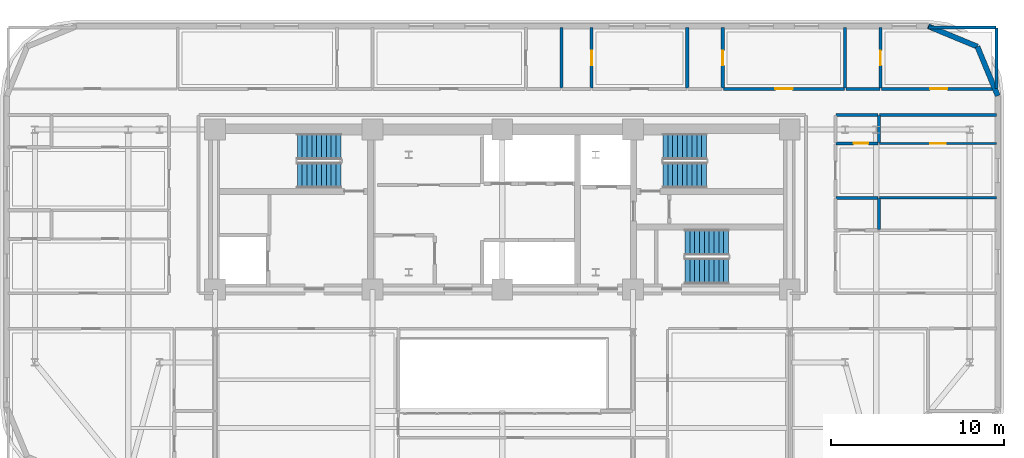
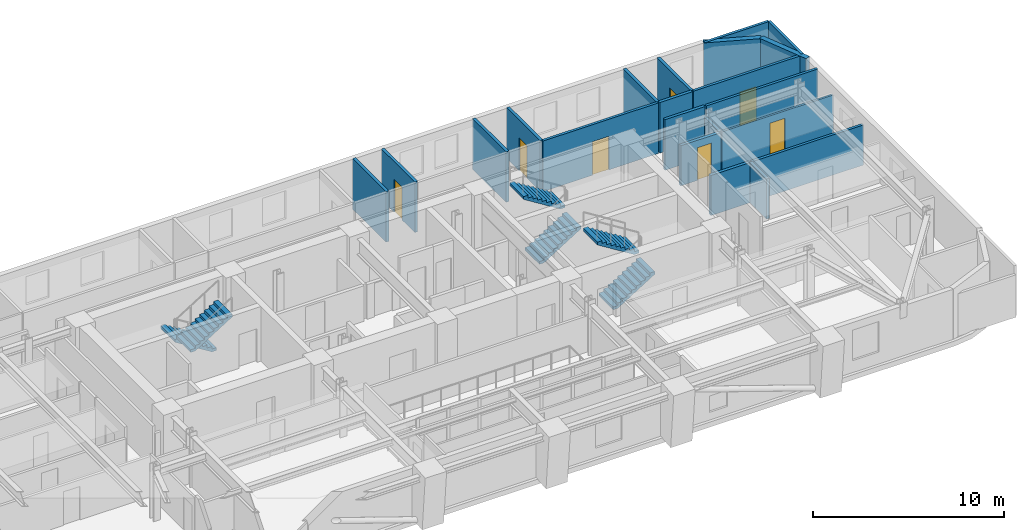
# One storey, part 11 of 14: 21 walls, 7 doors, 6 stair flights, 7 openings, 3 elements without a shape of their own.
"""IFC4 building model written with IfcOpenShell, lengths in metres."""

from ifc_helpers import new_model, si_unit, direction, frame, frame_2d, origin, place, context, subcontext, project, spatial, polyline, rectangle, outline, extrude, material, layer, layer_set, type_object, element, fill, aggregate, save


model = new_model("IFC4")

# Units and contexts
model_context = context("Model", 3, precision=1e-05, world=origin(), true_north=direction((0.0, 1.0)))
body_context = subcontext(model_context, "Body", "Model", "MODEL_VIEW")
ifc_project = project(units=[si_unit("LENGTHUNIT", "METRE"), si_unit("AREAUNIT", "SQUARE_METRE"), si_unit("VOLUMEUNIT", "CUBIC_METRE"), si_unit("PLANEANGLEUNIT", "RADIAN"), si_unit("MASSUNIT", "GRAM", prefix="KILO")], contexts=[model_context])

# Site, building, storey
site_placement = place(None, origin())
site = spatial("IfcSite", under=ifc_project, at=site_placement, CompositionType="ELEMENT")
building_placement = place(site_placement, origin())
building = spatial("IfcBuilding", under=site, at=building_placement, Name="Zarnavel Station Tower", CompositionType="ELEMENT")
storey_placement = place(building_placement, frame((0.0, 0.0, 108.300048828125)))
storey = spatial("IfcBuildingStorey", under=building, at=storey_placement, Name="L29", CompositionType="ELEMENT", Elevation=108.300048828125)

# Walls
ifc_material_1 = material(Name="Precast concrete C45/55 (Dark Basalt Finish)", Category="masonry")
ifc_layer_1 = layer(ifc_material_1, 0.300048828125)
ifc_layer_set_1 = layer_set([ifc_layer_1], Name="EW_BASALT_300")
wall_type_1 = type_object("IfcWallType", Name="EW_BASALT_300", PredefinedType="SOLIDWALL", material=ifc_layer_set_1)
wall_1_placement = place(storey_placement, frame((56.24267578125, 41.842529296875, 0.0), z_axis=(0.0, 0.0, 1.0), x_axis=(0.382636798336, -0.92389884758, 0.0)))
element("IfcWall", 1, at=wall_1_placement, inside=storey, type_object=wall_type_1, Name="L29 Exterior Basalt Masonry Frame Wall 04", PredefinedType="SOLIDWALL", context=body_context, shape_type="SweptSolid", body=[
    extrude(rectangle(XDim=3.07666015625, YDim=0.300048828125, at=frame_2d((1.538330078125, 0.0))), origin(), (0.0, 0.0, 1.0), 3.239990234375),
])
wall_2_placement = place(storey_placement, frame((53.39990234375, 43.02001953125, 0.0), z_axis=(0.0, 0.0, 1.0), x_axis=(0.923882414032, -0.382676475685, 0.0)))
element("IfcWall", 2, at=wall_2_placement, inside=storey, type_object=wall_type_1, Name="L29 Exterior Basalt Masonry Frame Wall 05", PredefinedType="SOLIDWALL", context=body_context, shape_type="SweptSolid", body=[
    extrude(rectangle(XDim=3.076904296875, YDim=0.300048828125, at=frame_2d((1.53857421875, 0.0))), origin(), (0.0, 0.0, 1.0), 3.239990234375),
])
ifc_material_2 = material(Name="Gypsum Twin-Stud Acoustic Fire Partition", Category="concrete")
ifc_layer_2 = layer(ifc_material_2, 0.159912109375)
ifc_layer_set_2 = layer_set([ifc_layer_2], Name="PT_DEMISE_160")
wall_type_2 = type_object("IfcWallType", Name="PT_DEMISE_160", PredefinedType="PARTITIONING", material=ifc_layer_set_2)
wall_3_placement = place(storey_placement, frame((50.590087890625, 37.89990234375, 0.0), z_axis=(0.0, 0.0, 1.0), x_axis=(1.0, 0.0, 0.0)))
element("IfcWall", 3, at=wall_3_placement, inside=storey, type_object=wall_type_2, Name="L29 Partition COR-N-FNE2S", PredefinedType="PARTITIONING", context=body_context, shape_type="SweptSolid", body=[
    extrude(rectangle(XDim=6.75, YDim=0.159912109375, at=frame_2d((3.375, 0.0))), origin(), (0.0, 0.0, 1.0), 3.239990234375),
])

# Wall, opening, door
wall_4_placement = place(storey_placement, frame((41.574951171875, 39.39990234375, 0.0), z_axis=(0.0, 0.0, 1.0), x_axis=(1.0, 0.0, 0.0)))
wall_4 = element("IfcWall", 4, at=wall_4_placement, inside=storey, type_object=wall_type_2, Name="L29 Partition COR-N-HN4R", PredefinedType="PARTITIONING", context=body_context, shape_type="SweptSolid", body=[
    extrude(rectangle(XDim=6.985107421875, YDim=0.159912109375, at=frame_2d((3.49267578125, 0.0))), origin(), (0.0, 0.0, 1.0), 3.239990234375),
])
opening_1_placement = place(wall_4_placement, frame((2.992431640625, 0.0, 0.0)))
opening_1 = element("IfcOpeningElement", 5, at=opening_1_placement, cuts=wall_4, Name="Opening FD02", PredefinedType="OPENING", context=body_context, shape_type="SweptSolid", body=[
    extrude(rectangle(XDim=1.0, YDim=2.14990234375, at=frame_2d((0.5, 1.074951171875))), frame((0.0, 0.08984375, 0.0), z_axis=(0.0, -1.0, 0.0), x_axis=(1.0, 0.0, 0.0)), (0.0, 0.0, 1.0), 0.179931640625),
])
ifc_material_3 = material(Name="Painted Galvanised Steel and Hardwood Leaf", Category="steel")
door_type_1 = type_object("IfcDoorType", Name="ID_ENTRY_1000", OperationType="NOTDEFINED", PredefinedType="DOOR", material=ifc_material_3)
door_1_placement = place(opening_1_placement, origin())
door_1 = element("IfcDoor", 6, at=door_1_placement, inside=storey, type_object=door_type_1, Name="L29 Door COR-N-HN4R", OperationType="SINGLE_SWING_RIGHT", OverallHeight=2.14990234375, OverallWidth=1.0, PredefinedType="DOOR", context=body_context, shape_type="SweptSolid", body=[
    extrude(rectangle(XDim=1.0, YDim=2.14990234375, at=frame_2d((0.5, 1.074951171875))), frame((0.0, 0.02490234375, 0.0), z_axis=(0.0, -1.0, 0.0), x_axis=(1.0, 0.0, 0.0)), (0.0, 0.0, 1.0), 0.050048828125),
])
fill(opening_1, door_1)

wall_5_placement = place(storey_placement, frame((50.68994140625, 39.39990234375, 0.0), z_axis=(0.0, 0.0, 1.0), x_axis=(1.0, 0.0, 0.0)))
wall_5 = element("IfcWall", 7, at=wall_5_placement, inside=storey, type_object=wall_type_2, Name="L29 Partition COR-N-HN5R", PredefinedType="PARTITIONING", context=body_context, shape_type="SweptSolid", body=[
    extrude(rectangle(XDim=6.650146484375, YDim=0.159912109375, at=frame_2d((3.3251953125, 0.0))), origin(), (0.0, 0.0, 1.0), 3.239990234375),
])
opening_2_placement = place(wall_5_placement, frame((2.824951171875, 0.0, 0.0)))
opening_2 = element("IfcOpeningElement", 8, at=opening_2_placement, cuts=wall_5, Name="Opening FD02", PredefinedType="OPENING", context=body_context, shape_type="SweptSolid", body=[
    extrude(rectangle(XDim=1.0, YDim=2.14990234375, at=frame_2d((0.5, 1.074951171875))), frame((0.0, 0.08984375, 0.0), z_axis=(0.0, -1.0, 0.0), x_axis=(1.0, 0.0, 0.0)), (0.0, 0.0, 1.0), 0.179931640625),
])
door_2_placement = place(opening_2_placement, origin())
door_2 = element("IfcDoor", 9, at=door_2_placement, inside=storey, type_object=door_type_1, Name="L29 Door COR-N-HN5R", OperationType="SINGLE_SWING_LEFT", OverallHeight=2.14990234375, OverallWidth=1.0, PredefinedType="DOOR", context=body_context, shape_type="SweptSolid", body=[
    extrude(rectangle(XDim=1.0, YDim=2.14990234375, at=frame_2d((0.5, 1.074951171875))), frame((0.0, 0.02490234375, 0.0), z_axis=(0.0, -1.0, 0.0), x_axis=(1.0, 0.0, 0.0)), (0.0, 0.0, 1.0), 0.050048828125),
])
fill(opening_2, door_2)

# Walls
wall_6_placement = place(storey_placement, frame((50.590087890625, 33.10888671875, 0.0), z_axis=(0.0, 0.0, 1.0), x_axis=(1.0, 0.0, 0.0)))
element("IfcWall", 10, at=wall_6_placement, inside=storey, type_object=wall_type_2, Name="L29 Partition FNE1S-FNE2R", PredefinedType="PARTITIONING", context=body_context, shape_type="SweptSolid", body=[
    extrude(rectangle(XDim=6.75, YDim=0.159912109375, at=frame_2d((3.375, 0.0))), origin(), (0.0, 0.0, 1.0), 2.570068359375),
])
wall_7_placement = place(storey_placement, frame((53.429931640625, 42.93994140625, 0.0), z_axis=(0.0, 0.0, 1.0), x_axis=(1.0, 0.0, 0.0)))
element("IfcWall", 11, at=wall_7_placement, inside=storey, type_object=wall_type_2, Name="L29 Enclosure Wall HN5R", PredefinedType="PARTITIONING", context=body_context, shape_type="SweptSolid", body=[
    extrude(rectangle(XDim=3.880126953125, YDim=0.159912109375, at=frame_2d((1.93994140625, 0.0))), origin(), (0.0, 0.0, 1.0), 3.239990234375),
])
wall_8_placement = place(storey_placement, frame((57.340087890625, 39.429931640625, 0.0), z_axis=(0.0, 0.0, 1.0), x_axis=(0.0, 1.0, 0.0)))
element("IfcWall", 12, at=wall_8_placement, inside=storey, type_object=wall_type_2, Name="L29 Enclosure Wall HN5R", PredefinedType="PARTITIONING", context=body_context, shape_type="SweptSolid", body=[
    extrude(rectangle(XDim=3.47998046875, YDim=0.159912109375, at=frame_2d((1.739990234375, 0.0))), origin(), (0.0, 0.0, 1.0), 3.239990234375),
])

# Wall, opening, door
ifc_material_4 = material(Name="Gypsum Metal-Stud Interior Partition", Category="concrete")
ifc_layer_3 = layer(ifc_material_4, 0.1201171875)
ifc_layer_set_3 = layer_set([ifc_layer_3], Name="PT_ROOM_120")
wall_type_3 = type_object("IfcWallType", Name="PT_ROOM_120", PredefinedType="PARTITIONING", material=ifc_layer_set_3)
wall_9_placement = place(storey_placement, frame((50.590087890625, 36.25, 0.0), z_axis=(0.0, 0.0, 1.0), x_axis=(1.0, 0.0, 0.0)))
wall_9 = element("IfcWall", 13, at=wall_9_placement, inside=storey, type_object=wall_type_3, Name="L29 Partition FNE2R-FNE2S", PredefinedType="PARTITIONING", context=body_context, shape_type="SweptSolid", body=[
    extrude(rectangle(XDim=6.75, YDim=0.1201171875, at=frame_2d((3.375, 0.0))), origin(), (0.0, 0.0, 1.0), 2.570068359375),
])
opening_3_placement = place(wall_9_placement, frame((2.925048828125, 0.0, 0.0)))
opening_3 = element("IfcOpeningElement", 14, at=opening_3_placement, cuts=wall_9, Name="Opening ID01", PredefinedType="OPENING", context=body_context, shape_type="SweptSolid", body=[
    extrude(rectangle(XDim=0.89990234375, YDim=2.10009765625, at=frame_2d((0.449951171875, 1.050048828125))), frame((0.0, 0.070068359375, 0.0), z_axis=(0.0, -1.0, 0.0), x_axis=(1.0, 0.0, 0.0)), (0.0, 0.0, 1.0), 0.14013671875),
])
ifc_material_5 = material(Name="Painted Galvanised Steel and Hardwood Leaf", Category="steel")
door_type_2 = type_object("IfcDoorType", Name="ID_ROOM_900", OperationType="NOTDEFINED", PredefinedType="DOOR", material=ifc_material_5)
door_3_placement = place(opening_3_placement, origin())
door_3 = element("IfcDoor", 15, at=door_3_placement, inside=storey, type_object=door_type_2, Name="L29 Door FNE2R-FNE2S", OperationType="SINGLE_SWING_RIGHT", OverallHeight=2.10009765625, OverallWidth=0.89990234375, PredefinedType="DOOR", context=body_context, shape_type="SweptSolid", body=[
    extrude(rectangle(XDim=0.89990234375, YDim=2.10009765625, at=frame_2d((0.449951171875, 1.050048828125))), frame((0.0, 0.02490234375, 0.0), z_axis=(0.0, -1.0, 0.0), x_axis=(1.0, 0.0, 0.0)), (0.0, 0.0, 1.0), 0.050048828125),
])
fill(opening_3, door_3)

# Walls
ifc_material_6 = material(Name="Moisture-Resistant Plumbing Chase Wall", Category="concrete")
ifc_layer_4 = layer(ifc_material_6, 0.179931640625)
ifc_layer_set_4 = layer_set([ifc_layer_4], Name="PW_PLUMB_180")
wall_type_4 = type_object("IfcWallType", Name="PW_PLUMB_180", PredefinedType="PLUMBINGWALL", material=ifc_layer_set_4)
wall_10_placement = place(storey_placement, frame((48.090087890625, 37.89990234375, 0.0), z_axis=(0.0, 0.0, 1.0), x_axis=(1.0, 0.0, 0.0)))
element("IfcWall", 16, at=wall_10_placement, inside=storey, type_object=wall_type_4, Name="L29 Partition COR-N-FNE2B", PredefinedType="PLUMBINGWALL", context=body_context, shape_type="SweptSolid", body=[
    extrude(rectangle(XDim=2.419921875, YDim=0.179931640625, at=frame_2d((1.2099609375, 0.0))), origin(), (0.0, 0.0, 1.0), 3.239990234375),
])
wall_11_placement = place(storey_placement, frame((48.639892578125, 39.39990234375, 0.0), z_axis=(0.0, 0.0, 1.0), x_axis=(1.0, 0.0, 0.0)))
element("IfcWall", 17, at=wall_11_placement, inside=storey, type_object=wall_type_4, Name="L29 Partition COR-N-HN5B", PredefinedType="PLUMBINGWALL", context=body_context, shape_type="SweptSolid", body=[
    extrude(rectangle(XDim=1.97021484375, YDim=0.179931640625, at=frame_2d((0.985107421875, 0.0))), origin(), (0.0, 0.0, 1.0), 3.239990234375),
])
wall_12_placement = place(storey_placement, frame((50.550048828125, 31.27587890625, 0.0), z_axis=(0.0, 0.0, 1.0), x_axis=(0.0, 1.0, 0.0)))
element("IfcWall", 18, at=wall_12_placement, inside=storey, type_object=wall_type_4, Name="L29 Partition FNE1B-FNE1S", PredefinedType="PLUMBINGWALL", context=body_context, shape_type="SweptSolid", body=[
    extrude(rectangle(XDim=1.793212890625, YDim=0.179931640625, at=frame_2d((0.896484375, 0.0))), origin(), (0.0, 0.0, 1.0), 2.570068359375),
])
wall_13_placement = place(storey_placement, frame((48.090087890625, 33.10888671875, 0.0), z_axis=(0.0, 0.0, 1.0), x_axis=(1.0, 0.0, 0.0)))
element("IfcWall", 19, at=wall_13_placement, inside=storey, type_object=wall_type_4, Name="L29 Partition FNE1B-FNE2R", PredefinedType="PLUMBINGWALL", context=body_context, shape_type="SweptSolid", body=[
    extrude(rectangle(XDim=2.419921875, YDim=0.179931640625, at=frame_2d((1.2099609375, 0.0))), origin(), (0.0, 0.0, 1.0), 2.570068359375),
])

# Wall, opening, door
wall_14_placement = place(storey_placement, frame((50.510009765625, 36.25, 0.0), z_axis=(0.0, 0.0, 1.0), x_axis=(-1.0, 0.0, 0.0)))
wall_14 = element("IfcWall", 20, at=wall_14_placement, inside=storey, type_object=wall_type_4, Name="L29 Partition FNE2R-FNE2B", PredefinedType="PLUMBINGWALL", context=body_context, shape_type="SweptSolid", body=[
    extrude(rectangle(XDim=2.419921875, YDim=0.179931640625, at=frame_2d((1.2099609375, 0.0))), origin(), (0.0, 0.0, 1.0), 2.570068359375),
])
opening_4_placement = place(wall_14_placement, frame((0.570068359375, 0.0, 0.0)))
opening_4 = element("IfcOpeningElement", 21, at=opening_4_placement, cuts=wall_14, Name="Opening ID02", PredefinedType="OPENING", context=body_context, shape_type="SweptSolid", body=[
    extrude(rectangle(XDim=0.85009765625, YDim=2.10009765625, at=frame_2d((0.425048828125, 1.050048828125))), frame((0.0, 0.099853515625, 0.0), z_axis=(0.0, -1.0, 0.0), x_axis=(1.0, 0.0, 0.0)), (0.0, 0.0, 1.0), 0.199951171875),
])
ifc_material_7 = material(Name="Painted Galvanised Steel and Hardwood Leaf", Category="steel")
door_type_3 = type_object("IfcDoorType", Name="ID_BATH_850", OperationType="NOTDEFINED", PredefinedType="DOOR", material=ifc_material_7)
door_4_placement = place(opening_4_placement, origin())
door_4 = element("IfcDoor", 22, at=door_4_placement, inside=storey, type_object=door_type_3, Name="L29 Door FNE2R-FNE2B", OperationType="SINGLE_SWING_LEFT", OverallHeight=2.10009765625, OverallWidth=0.85009765625, PredefinedType="DOOR", context=body_context, shape_type="SweptSolid", body=[
    extrude(rectangle(XDim=0.85009765625, YDim=2.10009765625, at=frame_2d((0.425048828125, 1.050048828125))), frame((0.0, 0.02490234375, 0.0), z_axis=(0.0, -1.0, 0.0), x_axis=(1.0, 0.0, 0.0)), (0.0, 0.0, 1.0), 0.050048828125),
])
fill(opening_4, door_4)

# Walls
wall_15_placement = place(storey_placement, frame((50.550048828125, 36.2900390625, 0.0), z_axis=(0.0, 0.0, 1.0), x_axis=(0.0, 1.0, 0.0)))
element("IfcWall", 23, at=wall_15_placement, inside=storey, type_object=wall_type_4, Name="L29 Partition FNE2B-FNE2S", PredefinedType="PLUMBINGWALL", context=body_context, shape_type="SweptSolid", body=[
    extrude(rectangle(XDim=1.570068359375, YDim=0.179931640625, at=frame_2d((0.78515625, 0.0))), origin(), (0.0, 0.0, 1.0), 2.570068359375),
])
wall_16_placement = place(storey_placement, frame((32.2109375, 39.43994140625, 0.0), z_axis=(0.0, 0.0, 1.0), x_axis=(0.0, 1.0, 0.0)))
element("IfcWall", 24, at=wall_16_placement, inside=storey, type_object=wall_type_4, Name="L29 Partition HN2B-HN3B", PredefinedType="PLUMBINGWALL", context=body_context, shape_type="SweptSolid", body=[
    extrude(rectangle(XDim=3.5, YDim=0.179931640625, at=frame_2d((1.75, 0.0))), origin(), (0.0, 0.0, 1.0), 3.239990234375),
])

# Wall, opening, door
wall_17_placement = place(storey_placement, frame((33.95703125, 39.43994140625, 0.0), z_axis=(0.0, 0.0, 1.0), x_axis=(0.0, 1.0, 0.0)))
wall_17 = element("IfcWall", 25, at=wall_17_placement, inside=storey, type_object=wall_type_4, Name="L29 Partition HN3R-HN3B", PredefinedType="PLUMBINGWALL", context=body_context, shape_type="SweptSolid", body=[
    extrude(rectangle(XDim=3.5, YDim=0.179931640625, at=frame_2d((1.75, 0.0))), origin(), (0.0, 0.0, 1.0), 3.239990234375),
])
opening_5_placement = place(wall_17_placement, frame((1.324951171875, 0.0, 0.0)))
opening_5 = element("IfcOpeningElement", 26, at=opening_5_placement, cuts=wall_17, Name="Opening ID02", PredefinedType="OPENING", context=body_context, shape_type="SweptSolid", body=[
    extrude(rectangle(XDim=0.85009765625, YDim=2.10009765625, at=frame_2d((0.425048828125, 1.050048828125))), frame((0.0, 0.099853515625, 0.0), z_axis=(0.0, -1.0, 0.0), x_axis=(1.0, 0.0, 0.0)), (0.0, 0.0, 1.0), 0.199951171875),
])
door_5_placement = place(opening_5_placement, origin())
door_5 = element("IfcDoor", 27, at=door_5_placement, inside=storey, type_object=door_type_3, Name="L29 Door HN3R-HN3B", OperationType="SINGLE_SWING_LEFT", OverallHeight=2.10009765625, OverallWidth=0.85009765625, PredefinedType="DOOR", context=body_context, shape_type="SweptSolid", body=[
    extrude(rectangle(XDim=0.85009765625, YDim=2.10009765625, at=frame_2d((0.425048828125, 1.050048828125))), frame((0.0, 0.02490234375, 0.0), z_axis=(0.0, -1.0, 0.0), x_axis=(1.0, 0.0, 0.0)), (0.0, 0.0, 1.0), 0.050048828125),
])
fill(opening_5, door_5)

# Wall
wall_18_placement = place(storey_placement, frame((39.485107421875, 39.43994140625, 0.0), z_axis=(0.0, 0.0, 1.0), x_axis=(0.0, 1.0, 0.0)))
element("IfcWall", 28, at=wall_18_placement, inside=storey, type_object=wall_type_4, Name="L29 Partition HN3R-HN4B", PredefinedType="PLUMBINGWALL", context=body_context, shape_type="SweptSolid", body=[
    extrude(rectangle(XDim=3.5, YDim=0.179931640625, at=frame_2d((1.75, 0.0))), origin(), (0.0, 0.0, 1.0), 3.239990234375),
])

# Wall, opening, door
wall_19_placement = place(storey_placement, frame((41.534912109375, 39.43994140625, 0.0), z_axis=(0.0, 0.0, 1.0), x_axis=(0.0, 1.0, 0.0)))
wall_19 = element("IfcWall", 29, at=wall_19_placement, inside=storey, type_object=wall_type_4, Name="L29 Partition HN4R-HN4B", PredefinedType="PLUMBINGWALL", context=body_context, shape_type="SweptSolid", body=[
    extrude(rectangle(XDim=3.5, YDim=0.179931640625, at=frame_2d((1.75, 0.0))), origin(), (0.0, 0.0, 1.0), 3.239990234375),
])
opening_6_placement = place(wall_19_placement, frame((1.324951171875, 0.0, 0.0)))
opening_6 = element("IfcOpeningElement", 30, at=opening_6_placement, cuts=wall_19, Name="Opening ID02", PredefinedType="OPENING", context=body_context, shape_type="SweptSolid", body=[
    extrude(rectangle(XDim=0.85009765625, YDim=2.10009765625, at=frame_2d((0.425048828125, 1.050048828125))), frame((0.0, 0.099853515625, 0.0), z_axis=(0.0, -1.0, 0.0), x_axis=(1.0, 0.0, 0.0)), (0.0, 0.0, 1.0), 0.199951171875),
])
door_6_placement = place(opening_6_placement, origin())
door_6 = element("IfcDoor", 31, at=door_6_placement, inside=storey, type_object=door_type_3, Name="L29 Door HN4R-HN4B", OperationType="SINGLE_SWING_RIGHT", OverallHeight=2.10009765625, OverallWidth=0.85009765625, PredefinedType="DOOR", context=body_context, shape_type="SweptSolid", body=[
    extrude(rectangle(XDim=0.85009765625, YDim=2.10009765625, at=frame_2d((0.425048828125, 1.050048828125))), frame((0.0, 0.02490234375, 0.0), z_axis=(0.0, -1.0, 0.0), x_axis=(1.0, 0.0, 0.0)), (0.0, 0.0, 1.0), 0.050048828125),
])
fill(opening_6, door_6)

# Wall
wall_20_placement = place(storey_placement, frame((48.60009765625, 39.43994140625, 0.0), z_axis=(0.0, 0.0, 1.0), x_axis=(0.0, 1.0, 0.0)))
element("IfcWall", 32, at=wall_20_placement, inside=storey, type_object=wall_type_4, Name="L29 Partition HN4R-HN5B", PredefinedType="PLUMBINGWALL", context=body_context, shape_type="SweptSolid", body=[
    extrude(rectangle(XDim=3.5, YDim=0.179931640625, at=frame_2d((1.75, 0.0))), origin(), (0.0, 0.0, 1.0), 3.239990234375),
])

# Wall, opening, door
wall_21_placement = place(storey_placement, frame((50.64990234375, 39.43994140625, 0.0), z_axis=(0.0, 0.0, 1.0), x_axis=(0.0, 1.0, 0.0)))
wall_21 = element("IfcWall", 33, at=wall_21_placement, inside=storey, type_object=wall_type_4, Name="L29 Partition HN5R-HN5B", PredefinedType="PLUMBINGWALL", context=body_context, shape_type="SweptSolid", body=[
    extrude(rectangle(XDim=3.5, YDim=0.179931640625, at=frame_2d((1.75, 0.0))), origin(), (0.0, 0.0, 1.0), 3.239990234375),
])
opening_7_placement = place(wall_21_placement, frame((1.324951171875, 0.0, 0.0)))
opening_7 = element("IfcOpeningElement", 34, at=opening_7_placement, cuts=wall_21, Name="Opening ID02", PredefinedType="OPENING", context=body_context, shape_type="SweptSolid", body=[
    extrude(rectangle(XDim=0.85009765625, YDim=2.10009765625, at=frame_2d((0.425048828125, 1.050048828125))), frame((0.0, 0.099853515625, 0.0), z_axis=(0.0, -1.0, 0.0), x_axis=(1.0, 0.0, 0.0)), (0.0, 0.0, 1.0), 0.199951171875),
])
door_7_placement = place(opening_7_placement, origin())
door_7 = element("IfcDoor", 35, at=door_7_placement, inside=storey, type_object=door_type_3, Name="L29 Door HN5R-HN5B", OperationType="SINGLE_SWING_LEFT", OverallHeight=2.10009765625, OverallWidth=0.85009765625, PredefinedType="DOOR", context=body_context, shape_type="SweptSolid", body=[
    extrude(rectangle(XDim=0.85009765625, YDim=2.10009765625, at=frame_2d((0.425048828125, 1.050048828125))), frame((0.0, 0.02490234375, 0.0), z_axis=(0.0, -1.0, 0.0), x_axis=(1.0, 0.0, 0.0)), (0.0, 0.0, 1.0), 0.050048828125),
])
fill(opening_7, door_7)

# Stair, stair flights
ifc_material_8 = material(Name="Concrete C45/55", Category="concrete")
stair_type = type_object("IfcStairType", Name="ST_CORE_150", PredefinedType="HALF_TURN_STAIR", material=ifc_material_8)
stair_1_placement = place(storey_placement, origin())
stair_1 = element("IfcStair", 36, at=stair_1_placement, inside=storey, type_object=stair_type, Name="L29 Core Exit Stair ST1", PredefinedType="HALF_TURN_STAIR")
ifc_material_9 = material(Name="Concrete C45/55", Category="concrete")
ifc_layer_5 = layer(ifc_material_9, 0.179931640625)
ifc_layer_set_5 = layer_set([ifc_layer_5], Name="ST_CORE_150_FLT")
stair_flight_type = type_object("IfcStairFlightType", Name="ST_CORE_150_FLT", PredefinedType="STRAIGHT", material=ifc_layer_set_5)
stair_flight_1_placement = place(storey_placement, frame((19.47998046875, 36.070068359375, 0.0), z_axis=(0.0, 0.0, 1.0), x_axis=(-1.0, 0.0, 0.0)))
stair_flight_1 = element("IfcStairFlight", 37, at=stair_flight_1_placement, type_object=stair_flight_type, Name="ST1 flight 1", NumberOfRisers=10, NumberOfTreads=9, PredefinedType="STRAIGHT", RiserHeight=0.175, TreadLength=0.28, context=body_context, shape_type="SweptSolid", body=[
    extrude(outline(polyline([(0.0, 0.0), (0.0, 0.175048828125), (0.280029296875, 0.175048828125), (0.280029296875, 0.35009765625), (0.56005859375, 0.35009765625), (0.56005859375, 0.52490234375), (0.840087890625, 0.52490234375), (0.840087890625, 0.699951171875), (1.1201171875, 0.699951171875), (1.1201171875, 0.875), (1.39990234375, 0.875), (1.39990234375, 1.050048828125), (1.679931640625, 1.050048828125), (1.679931640625, 1.22509765625), (1.9599609375, 1.22509765625), (1.9599609375, 1.39990234375), (2.239990234375, 1.39990234375), (2.239990234375, 1.574951171875), (2.52001953125, 1.574951171875), (2.52001953125, 1.75), (2.52001953125, 1.398193359375), (0.28271484375, 0.0), (0.0, 0.0)])), frame((0.0, 0.75, 0.0), z_axis=(0.0, -1.0, 0.0), x_axis=(1.0, 0.0, 0.0)), (0.0, 0.0, 1.0), 1.5),
])
stair_flight_2_placement = place(storey_placement, frame((16.9599609375, 34.409912109375, 1.75), z_axis=(0.0, 0.0, 1.0), x_axis=(1.0, 0.0, 0.0)))
stair_flight_2 = element("IfcStairFlight", 38, at=stair_flight_2_placement, type_object=stair_flight_type, Name="ST1 flight 2", NumberOfRisers=10, NumberOfTreads=9, PredefinedType="STRAIGHT", RiserHeight=0.175, TreadLength=0.28, context=body_context, shape_type="SweptSolid", body=[
    extrude(outline(polyline([(0.0, 0.0), (0.0, 0.175048828125), (0.280029296875, 0.175048828125), (0.280029296875, 0.35009765625), (0.56005859375, 0.35009765625), (0.56005859375, 0.52490234375), (0.840087890625, 0.52490234375), (0.840087890625, 0.699951171875), (1.1201171875, 0.699951171875), (1.1201171875, 0.875), (1.39990234375, 0.875), (1.39990234375, 1.050048828125), (1.679931640625, 1.050048828125), (1.679931640625, 1.22509765625), (1.9599609375, 1.22509765625), (1.9599609375, 1.39990234375), (2.239990234375, 1.39990234375), (2.239990234375, 1.574951171875), (2.52001953125, 1.574951171875), (2.52001953125, 1.75), (2.52001953125, 1.398193359375), (0.28271484375, 0.0), (0.0, 0.0)])), frame((0.0, 0.75, 0.0), z_axis=(0.0, -1.0, 0.0), x_axis=(1.0, 0.0, 0.0)), (0.0, 0.0, 1.0), 1.5),
])
aggregate(stair_1, [stair_flight_1, stair_flight_2])

stair_2_placement = place(storey_placement, origin())
stair_2 = element("IfcStair", 39, at=stair_2_placement, inside=storey, type_object=stair_type, Name="L29 Core Exit Stair ST2", PredefinedType="HALF_TURN_STAIR")
stair_flight_3_placement = place(storey_placement, frame((38.080078125, 34.409912109375, 0.0), z_axis=(0.0, 0.0, 1.0), x_axis=(1.0, 0.0, 0.0)))
stair_flight_3 = element("IfcStairFlight", 40, at=stair_flight_3_placement, type_object=stair_flight_type, Name="ST2 flight 1", NumberOfRisers=10, NumberOfTreads=9, PredefinedType="STRAIGHT", RiserHeight=0.175, TreadLength=0.28, context=body_context, shape_type="SweptSolid", body=[
    extrude(outline(polyline([(0.0, 0.0), (0.0, 0.175048828125), (0.280029296875, 0.175048828125), (0.280029296875, 0.35009765625), (0.56005859375, 0.35009765625), (0.56005859375, 0.52490234375), (0.840087890625, 0.52490234375), (0.840087890625, 0.699951171875), (1.1201171875, 0.699951171875), (1.1201171875, 0.875), (1.39990234375, 0.875), (1.39990234375, 1.050048828125), (1.679931640625, 1.050048828125), (1.679931640625, 1.22509765625), (1.9599609375, 1.22509765625), (1.9599609375, 1.39990234375), (2.239990234375, 1.39990234375), (2.239990234375, 1.574951171875), (2.52001953125, 1.574951171875), (2.52001953125, 1.75), (2.52001953125, 1.398193359375), (0.28271484375, 0.0), (0.0, 0.0)])), frame((0.0, 0.75, 0.0), z_axis=(0.0, -1.0, 0.0), x_axis=(1.0, 0.0, 0.0)), (0.0, 0.0, 1.0), 1.5),
])
stair_flight_4_placement = place(storey_placement, frame((40.60009765625, 36.070068359375, 1.75), z_axis=(0.0, 0.0, 1.0), x_axis=(-1.0, 0.0, 0.0)))
stair_flight_4 = element("IfcStairFlight", 41, at=stair_flight_4_placement, type_object=stair_flight_type, Name="ST2 flight 2", NumberOfRisers=10, NumberOfTreads=9, PredefinedType="STRAIGHT", RiserHeight=0.175, TreadLength=0.28, context=body_context, shape_type="SweptSolid", body=[
    extrude(outline(polyline([(0.0, 0.0), (0.0, 0.175048828125), (0.280029296875, 0.175048828125), (0.280029296875, 0.35009765625), (0.56005859375, 0.35009765625), (0.56005859375, 0.52490234375), (0.840087890625, 0.52490234375), (0.840087890625, 0.699951171875), (1.1201171875, 0.699951171875), (1.1201171875, 0.875), (1.39990234375, 0.875), (1.39990234375, 1.050048828125), (1.679931640625, 1.050048828125), (1.679931640625, 1.22509765625), (1.9599609375, 1.22509765625), (1.9599609375, 1.39990234375), (2.239990234375, 1.39990234375), (2.239990234375, 1.574951171875), (2.52001953125, 1.574951171875), (2.52001953125, 1.75), (2.52001953125, 1.398193359375), (0.28271484375, 0.0), (0.0, 0.0)])), frame((0.0, 0.75, 0.0), z_axis=(0.0, -1.0, 0.0), x_axis=(1.0, 0.0, 0.0)), (0.0, 0.0, 1.0), 1.5),
])
aggregate(stair_2, [stair_flight_3, stair_flight_4])

stair_3_placement = place(storey_placement, origin())
stair_3 = element("IfcStair", 42, at=stair_3_placement, inside=storey, type_object=stair_type, Name="L29 Core Exit Stair ST3", PredefinedType="HALF_TURN_STAIR")
stair_flight_5_placement = place(storey_placement, frame((39.35009765625, 28.8701171875, 0.0), z_axis=(0.0, 0.0, 1.0), x_axis=(1.0, 0.0, 0.0)))
stair_flight_5 = element("IfcStairFlight", 43, at=stair_flight_5_placement, type_object=stair_flight_type, Name="ST3 flight 1", NumberOfRisers=10, NumberOfTreads=9, PredefinedType="STRAIGHT", RiserHeight=0.175, TreadLength=0.28, context=body_context, shape_type="SweptSolid", body=[
    extrude(outline(polyline([(0.0, 0.0), (0.0, 0.175048828125), (0.280029296875, 0.175048828125), (0.280029296875, 0.35009765625), (0.56005859375, 0.35009765625), (0.56005859375, 0.52490234375), (0.840087890625, 0.52490234375), (0.840087890625, 0.699951171875), (1.1201171875, 0.699951171875), (1.1201171875, 0.875), (1.39990234375, 0.875), (1.39990234375, 1.050048828125), (1.679931640625, 1.050048828125), (1.679931640625, 1.22509765625), (1.9599609375, 1.22509765625), (1.9599609375, 1.39990234375), (2.239990234375, 1.39990234375), (2.239990234375, 1.574951171875), (2.52001953125, 1.574951171875), (2.52001953125, 1.75), (2.52001953125, 1.398193359375), (0.28271484375, 0.0), (0.0, 0.0)])), frame((0.0, 0.75, 0.0), z_axis=(0.0, -1.0, 0.0), x_axis=(1.0, 0.0, 0.0)), (0.0, 0.0, 1.0), 1.5),
])
stair_flight_6_placement = place(storey_placement, frame((41.8701171875, 30.530029296875, 1.75), z_axis=(0.0, 0.0, 1.0), x_axis=(-1.0, 0.0, 0.0)))
stair_flight_6 = element("IfcStairFlight", 44, at=stair_flight_6_placement, type_object=stair_flight_type, Name="ST3 flight 2", NumberOfRisers=10, NumberOfTreads=9, PredefinedType="STRAIGHT", RiserHeight=0.175, TreadLength=0.28, context=body_context, shape_type="SweptSolid", body=[
    extrude(outline(polyline([(0.0, 0.0), (0.0, 0.175048828125), (0.280029296875, 0.175048828125), (0.280029296875, 0.35009765625), (0.56005859375, 0.35009765625), (0.56005859375, 0.52490234375), (0.840087890625, 0.52490234375), (0.840087890625, 0.699951171875), (1.1201171875, 0.699951171875), (1.1201171875, 0.875), (1.39990234375, 0.875), (1.39990234375, 1.050048828125), (1.679931640625, 1.050048828125), (1.679931640625, 1.22509765625), (1.9599609375, 1.22509765625), (1.9599609375, 1.39990234375), (2.239990234375, 1.39990234375), (2.239990234375, 1.574951171875), (2.52001953125, 1.574951171875), (2.52001953125, 1.75), (2.52001953125, 1.398193359375), (0.28271484375, 0.0), (0.0, 0.0)])), frame((0.0, 0.75, 0.0), z_axis=(0.0, -1.0, 0.0), x_axis=(1.0, 0.0, 0.0)), (0.0, 0.0, 1.0), 1.5),
])
aggregate(stair_3, [stair_flight_5, stair_flight_6])

save(model, "model.ifc")
